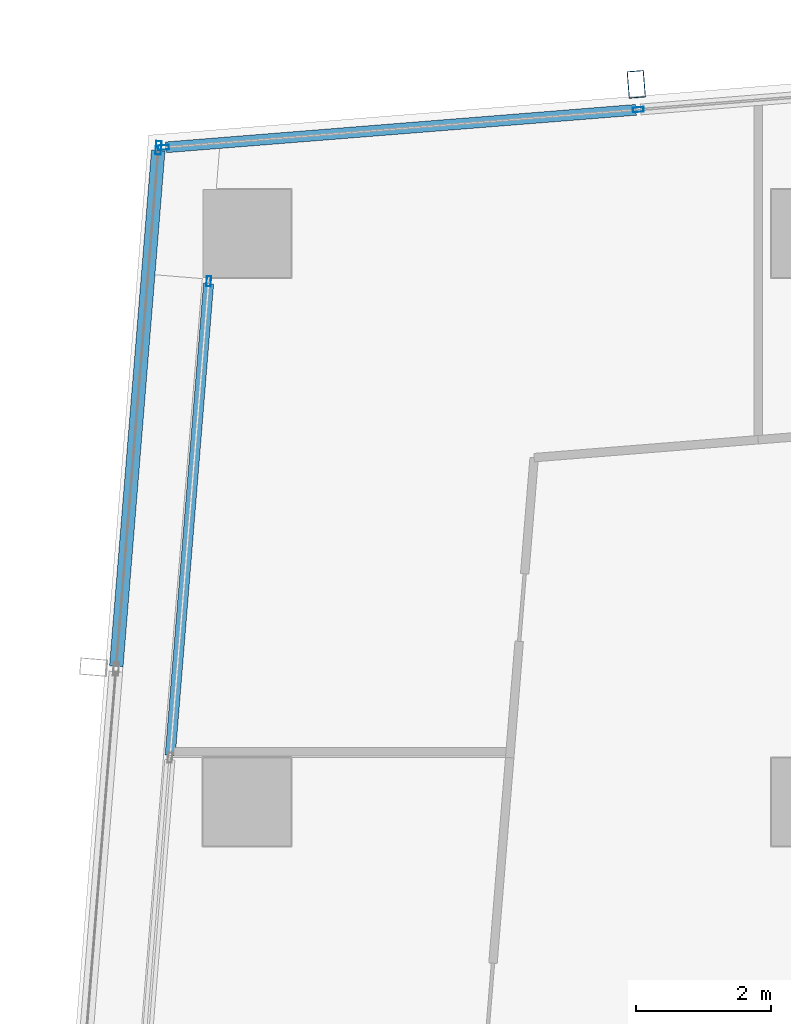
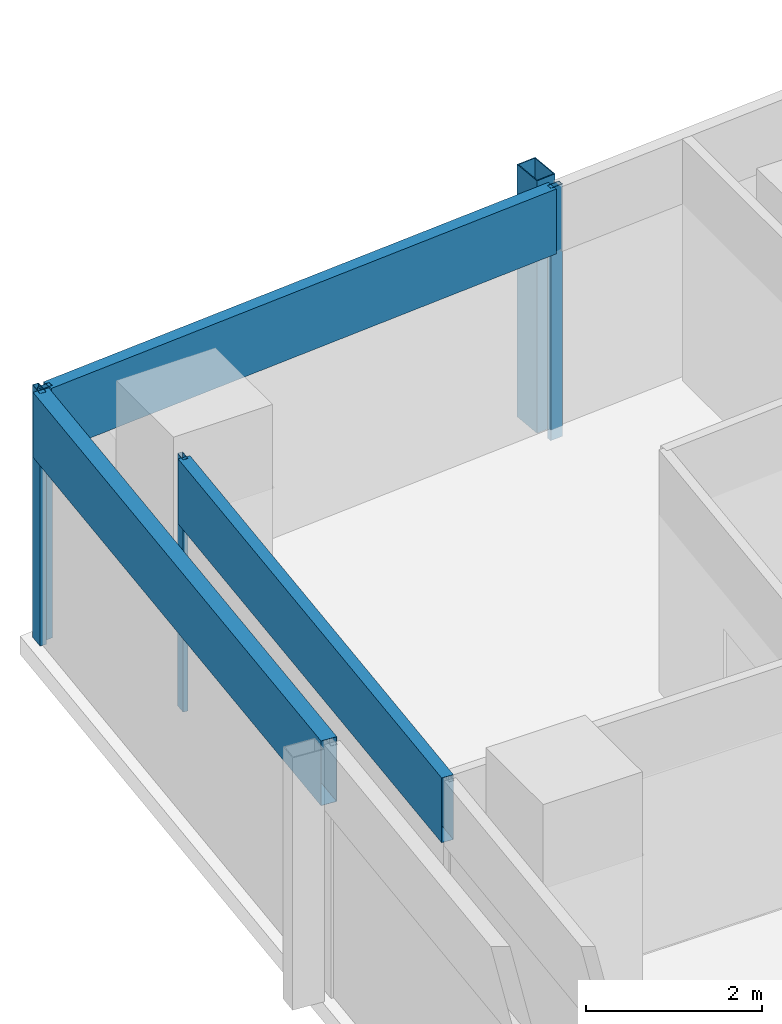
# One storey, part 15 of 29: 8 members, 3 elements without a shape of their own.
"""IFC4 building model written with IfcOpenShell, lengths in metres."""

from ifc_helpers import new_model, si_unit, direction, frame, origin, origin_2d, place, context, subcontext, project, spatial, hollow_rectangle, extrude, material, material_profile, profile_set, type_object, element, aggregate, save


model = new_model("IFC4")

# Units and contexts
model_context = context("Model", 3, precision=1e-05, world=origin(), true_north=direction((0.0, 1.0)))
body_context = subcontext(model_context, "Body", "Model", "MODEL_VIEW")
ifc_project = project(units=[si_unit("LENGTHUNIT", "METRE"), si_unit("AREAUNIT", "SQUARE_METRE"), si_unit("VOLUMEUNIT", "CUBIC_METRE"), si_unit("PLANEANGLEUNIT", "RADIAN"), si_unit("MASSUNIT", "GRAM", prefix="KILO")], contexts=[model_context])

# Site, building, storey
site_placement = place(None, origin())
site = spatial("IfcSite", under=ifc_project, at=site_placement, CompositionType="ELEMENT")
building_placement = place(site_placement, origin())
building = spatial("IfcBuilding", under=site, at=building_placement, Name="Rekha Terrace Tower", CompositionType="ELEMENT")
storey_placement = place(building_placement, frame((0.0, 0.0, 261.35009765625)))
storey = spatial("IfcBuildingStorey", under=building, at=storey_placement, Name="L66", CompositionType="ELEMENT", Elevation=261.35009765625)

# Curtain wall, member
ifc_material_1 = material(Name="Aluminium framing", Category="aluminium")
curtain_wall_type_1 = type_object("IfcCurtainWallType", Name="CW3 north unitised glazing", PredefinedType="USERDEFINED", material=ifc_material_1)
curtain_wall_1_placement = place(storey_placement, origin())
curtain_wall_1 = element("IfcCurtainWall", 1, at=curtain_wall_1_placement, inside=storey, type_object=curtain_wall_type_1, Name="CW3 unitised curtain wall", ObjectType="UNITISED CURTAIN WALL", PredefinedType="USERDEFINED")
ifc_material_2 = material(Name="Steel S355 with fluorocarbon finish", Category="steel")
ifc_material_profile_1 = material_profile(ifc_material_2, hollow_rectangle(XDim=0.25, YDim=0.39990234375, WallThickness=0.012451171875, at=origin_2d()), Name="RHS400x250x12.5")
ifc_profile_set_1 = profile_set([ifc_material_profile_1], Name="Steel S355 with fluorocarbon finish")
member_type_1 = type_object("IfcMemberType", Name="BL1 facade blade RHS 400 x 250", PredefinedType="USERDEFINED", material=ifc_profile_set_1)
member_1_placement = place(storey_placement, frame((14.1513671875, 52.599853515625, 0.0), z_axis=(0.0, 0.0, 1.0), x_axis=(-0.996836012392, -0.079485623849, 0.0)))
member_1 = element("IfcMember", 2, at=member_1_placement, type_object=member_type_1, Name="Facade blade", ObjectType="FACADE BLADE", PredefinedType="USERDEFINED", context=body_context, shape_type="SweptSolid", body=[
    extrude(hollow_rectangle(XDim=0.25, YDim=0.39990234375, WallThickness=0.012451171875, at=origin_2d()), origin(), (0.0, 0.0, 1.0), 3.5),
])

# Curtain wall, members
curtain_wall_type_2 = type_object("IfcCurtainWallType", Name="CW1 double skin inner glazing", PredefinedType="USERDEFINED", material=ifc_material_1)
curtain_wall_2_placement = place(storey_placement, origin())
curtain_wall_2 = element("IfcCurtainWall", 3, at=curtain_wall_2_placement, inside=storey, type_object=curtain_wall_type_2, Name="CW1 double skin inner glazing", ObjectType="DOUBLE SKIN INNER GLAZING", PredefinedType="USERDEFINED")
ifc_material_3 = material(Name="Aluminium mullion section", Category="aluminium")
ifc_material_profile_2 = material_profile(ifc_material_3, hollow_rectangle(XDim=0.06494140625, YDim=0.14990234375, WallThickness=0.00390625, at=origin_2d()), Name="AL RHS 65x150")
ifc_profile_set_2 = profile_set([ifc_material_profile_2], Name="Aluminium mullion section")
member_type_2 = type_object("IfcMemberType", Name="CW1 mullion RHS 65 x 150", PredefinedType="MULLION", material=ifc_profile_set_2)
member_2_placement = place(storey_placement, frame((7.837890625, 49.690185546875, 0.0), z_axis=(0.0, 0.0, 1.0), x_axis=(0.996708580524, -0.081067906781, 0.0)))
member_2 = element("IfcMember", 4, at=member_2_placement, type_object=member_type_2, Name="CW1 mullion 1", PredefinedType="MULLION", context=body_context, shape_type="SweptSolid", body=[
    extrude(hollow_rectangle(XDim=0.06494140625, YDim=0.14990234375, WallThickness=0.00390625, at=origin_2d()), origin(), (0.0, 0.0, 1.0), 3.5),
])
ifc_material_4 = material(Name="Insulated aluminium spandrel box", Category="aluminium")
ifc_material_profile_3 = material_profile(ifc_material_4, hollow_rectangle(XDim=0.14990234375, YDim=0.89990234375, WallThickness=0.0029296875, at=origin_2d()), Name="AL SPANDREL BOX 150x900")
ifc_profile_set_3 = profile_set([ifc_material_profile_3], Name="Insulated aluminium spandrel box")
member_type_3 = type_object("IfcMemberType", Name="CW1 spandrel transom 150 x 900", PredefinedType="USERDEFINED", material=ifc_profile_set_3)
member_3_placement = place(storey_placement, frame((7.835205078125, 49.65771484375, 3.0498046875), z_axis=(-0.081074618383, -0.996708034609, 0.0), x_axis=(0.996708034609, -0.081074618383, 0.0)))
member_3 = element("IfcMember", 5, at=member_3_placement, type_object=member_type_3, Name="CW1 spandrel transom 1", ObjectType="TRANSOM", PredefinedType="USERDEFINED", context=body_context, shape_type="SweptSolid", body=[
    extrude(hollow_rectangle(XDim=0.14990234375, YDim=0.89990234375, WallThickness=0.0029296875, at=origin_2d()), origin(), (0.0, 0.0, 1.0), 6.9921875),
])
aggregate(curtain_wall_2, [member_2, member_3])

curtain_wall_type_3 = type_object("IfcCurtainWallType", Name="CW2 double skin outer glazing", PredefinedType="USERDEFINED", material=ifc_material_1)
curtain_wall_3_placement = place(storey_placement, origin())
curtain_wall_3 = element("IfcCurtainWall", 6, at=curtain_wall_3_placement, inside=storey, type_object=curtain_wall_type_3, Name="CW2 double skin outer glazing", ObjectType="DOUBLE SKIN OUTER GLAZING", PredefinedType="USERDEFINED")
ifc_material_profile_4 = material_profile(ifc_material_3, hollow_rectangle(XDim=0.080078125, YDim=0.199951171875, WallThickness=0.00390625, at=origin_2d()), Name="AL RHS 80x200")
ifc_profile_set_4 = profile_set([ifc_material_profile_4], Name="Aluminium mullion section")
member_type_4 = type_object("IfcMemberType", Name="CW2 mullion RHS 80 x 200", PredefinedType="MULLION", material=ifc_profile_set_4)
member_4_placement = place(storey_placement, frame((7.09521484375, 51.661376953125, 0.0), z_axis=(0.0, 0.0, 1.0), x_axis=(0.996708580521, -0.081067906816, 0.0)))
member_4 = element("IfcMember", 7, at=member_4_placement, type_object=member_type_4, Name="CW2 mullion 1", PredefinedType="MULLION", context=body_context, shape_type="SweptSolid", body=[
    extrude(hollow_rectangle(XDim=0.080078125, YDim=0.199951171875, WallThickness=0.00390625, at=origin_2d()), origin(), (0.0, 0.0, 1.0), 3.5),
])
ifc_material_profile_5 = material_profile(ifc_material_4, hollow_rectangle(XDim=0.199951171875, YDim=0.89990234375, WallThickness=0.0029296875, at=origin_2d()), Name="AL SPANDREL BOX 200x900")
ifc_profile_set_5 = profile_set([ifc_material_profile_5], Name="Insulated aluminium spandrel box")
member_type_5 = type_object("IfcMemberType", Name="CW2 spandrel transom 200 x 900", PredefinedType="USERDEFINED", material=ifc_profile_set_5)
member_5_placement = place(storey_placement, frame((7.092041015625, 51.62158203125, 3.0498046875), z_axis=(-0.081093832935, -0.996706471465, 0.0), x_axis=(0.996706471465, -0.081093832935, 0.0)))
member_5 = element("IfcMember", 8, at=member_5_placement, type_object=member_type_5, Name="CW2 spandrel transom 1", ObjectType="TRANSOM", PredefinedType="USERDEFINED", context=body_context, shape_type="SweptSolid", body=[
    extrude(hollow_rectangle(XDim=0.199951171875, YDim=0.89990234375, WallThickness=0.0029296875, at=origin_2d()), origin(), (0.0, 0.0, 1.0), 7.640869140625),
])
aggregate(curtain_wall_3, [member_4, member_5])

# Member
ifc_material_profile_6 = material_profile(ifc_material_3, hollow_rectangle(XDim=0.070068359375, YDim=0.159912109375, WallThickness=0.00390625, at=origin_2d()), Name="AL RHS 70x160")
ifc_profile_set_6 = profile_set([ifc_material_profile_6], Name="Aluminium mullion section")
member_type_6 = type_object("IfcMemberType", Name="CW3 mullion RHS 70 x 160", PredefinedType="MULLION", material=ifc_profile_set_6)
member_6_placement = place(storey_placement, frame((14.18115234375, 52.22607421875, 0.0), z_axis=(0.0, 0.0, 1.0), x_axis=(0.07948505154, -0.996836058026, 0.0)))
member_6 = element("IfcMember", 9, at=member_6_placement, type_object=member_type_6, Name="CW3 mullion 3", PredefinedType="MULLION", context=body_context, shape_type="SweptSolid", body=[
    extrude(hollow_rectangle(XDim=0.070068359375, YDim=0.159912109375, WallThickness=0.00390625, at=origin_2d()), origin(), (0.0, 0.0, 1.0), 3.5),
])

member_7_placement = place(storey_placement, frame((7.17041015625, 51.6669921875, 0.0), z_axis=(0.0, 0.0, 1.0), x_axis=(0.07948505154, -0.996836058026, 0.0)))
member_7 = element("IfcMember", 10, at=member_7_placement, type_object=member_type_6, Name="CW3 mullion 4", PredefinedType="MULLION", context=body_context, shape_type="SweptSolid", body=[
    extrude(hollow_rectangle(XDim=0.070068359375, YDim=0.159912109375, WallThickness=0.00390625, at=origin_2d()), origin(), (0.0, 0.0, 1.0), 3.5),
])

ifc_material_profile_7 = material_profile(ifc_material_4, hollow_rectangle(XDim=0.159912109375, YDim=0.89990234375, WallThickness=0.0029296875, at=origin_2d()), Name="AL SPANDREL BOX 160x900")
ifc_profile_set_7 = profile_set([ifc_material_profile_7], Name="Insulated aluminium spandrel box")
member_type_7 = type_object("IfcMemberType", Name="CW3 spandrel transom 160 x 900", PredefinedType="USERDEFINED", material=ifc_profile_set_7)
member_8_placement = place(storey_placement, frame((14.146240234375, 52.22314453125, 3.0498046875), z_axis=(-0.996835870382, -0.079487404789, 0.0), x_axis=(0.079487404789, -0.996835870382, 0.0)))
member_8 = element("IfcMember", 11, at=member_8_placement, type_object=member_type_7, Name="CW3 spandrel transom 3", ObjectType="TRANSOM", PredefinedType="USERDEFINED", context=body_context, shape_type="SweptSolid", body=[
    extrude(hollow_rectangle(XDim=0.159912109375, YDim=0.89990234375, WallThickness=0.0029296875, at=origin_2d()), origin(), (0.0, 0.0, 1.0), 6.962890625),
])

aggregate(curtain_wall_1, [member_6, member_7, member_8, member_1])

save(model, "model.ifc")
